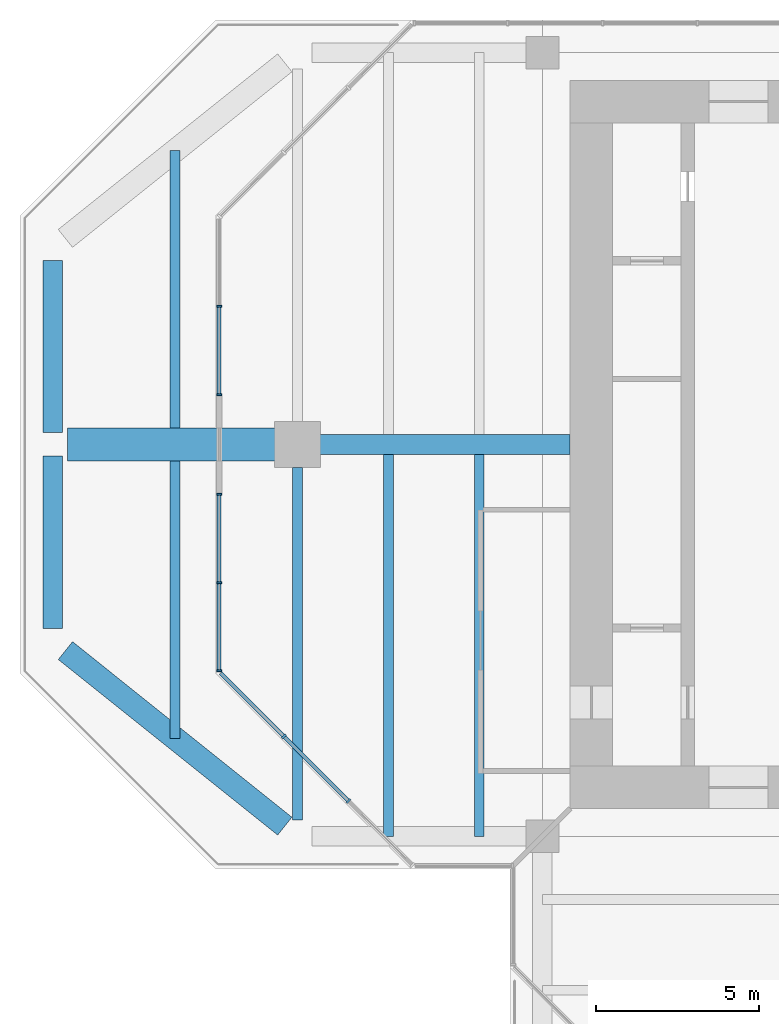
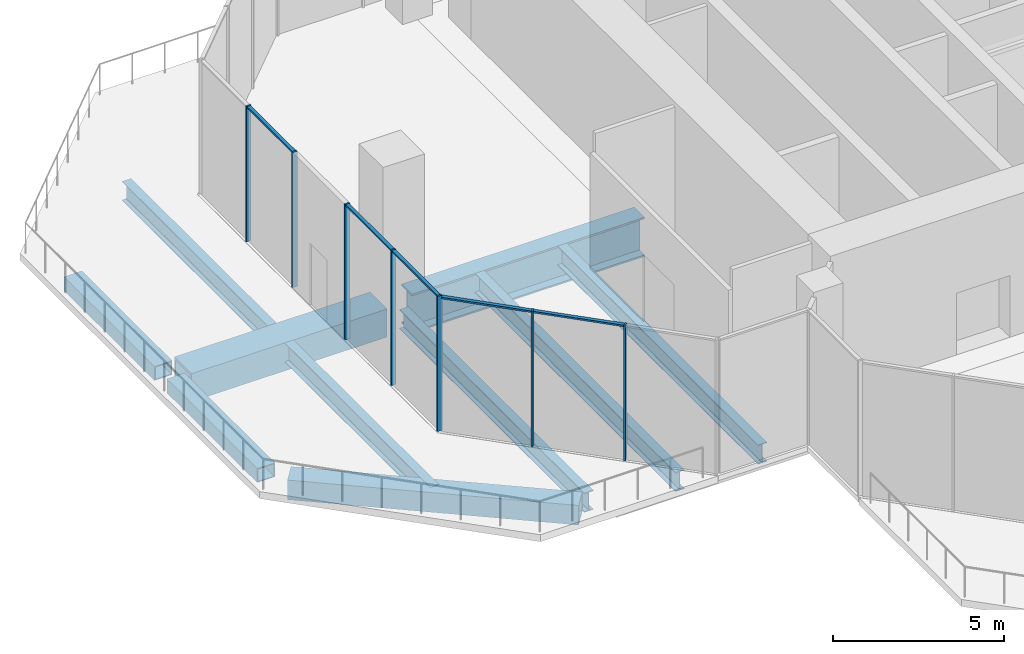
# One storey, part 3 of 13: 12 members, 10 beams, 3 elements without a shape of their own.
"""IFC4 building model written with IfcOpenShell, lengths in metres."""

from ifc_helpers import new_model, si_unit, direction, frame, origin, origin_2d, place, context, subcontext, project, spatial, rectangle, hollow_rectangle, i_section, extrude, material, material_profile, profile_set, type_object, element, aggregate, save


model = new_model("IFC4")

# Units and contexts
model_context = context("Model", 3, precision=1e-05, world=origin(), true_north=direction((0.0, 1.0)))
body_context = subcontext(model_context, "Body", "Model", "MODEL_VIEW")
ifc_project = project(units=[si_unit("LENGTHUNIT", "METRE"), si_unit("AREAUNIT", "SQUARE_METRE"), si_unit("VOLUMEUNIT", "CUBIC_METRE"), si_unit("PLANEANGLEUNIT", "RADIAN"), si_unit("MASSUNIT", "GRAM", prefix="KILO")], contexts=[model_context])

# Site, building, storey
site_placement = place(None, origin())
site = spatial("IfcSite", under=ifc_project, at=site_placement, CompositionType="ELEMENT")
building_placement = place(site_placement, origin())
building = spatial("IfcBuilding", under=site, at=building_placement, Name="Mizan Broadcast Tower", CompositionType="ELEMENT")
storey_placement = place(building_placement, frame((0.0, 0.0, 306.300048828125)))
storey = spatial("IfcBuildingStorey", under=building, at=storey_placement, Name="L73", CompositionType="ELEMENT", Elevation=306.300048828125)

# Beams
ifc_material_1 = material(Name="Steel S355", Category="steel")
ifc_material_profile_1 = material_profile(ifc_material_1, hollow_rectangle(XDim=0.60009765625, YDim=0.5, WallThickness=0.030029296875, at=origin_2d()), Name="BOX 500x600x30")
ifc_profile_set_1 = profile_set([ifc_material_profile_1], Name="Steel S355")
beam_type_1 = type_object("IfcBeamType", Name="EDGE BEAM BOX 500x600x30", PredefinedType="SPANDREL", material=ifc_profile_set_1)
for number, where, z_axis, x_axis, name in (
    (1, (-27.0, 5.639892578125, -0.5), (0.0, -1.0, 0.0), (1.0, 0.0, 0.0), "Edge beam BOX 500x600x30 L73 west arm"),
    (2, (-27.0, -5.639892578125, -0.5), (0.0, 1.0, 0.0), (-1.0, 0.0, 0.0), "Edge beam BOX 500x600x30 L73 west arm"),
):
    element("IfcBeam", number, at=place(storey_placement, frame(where, z_axis=z_axis, x_axis=x_axis)), inside=storey, type_object=beam_type_1, Name=name, PredefinedType="SPANDREL", context=body_context, shape_type="SweptSolid", body=[
        extrude(hollow_rectangle(XDim=0.60009765625, YDim=0.5, WallThickness=0.030029296875, at=origin_2d()), origin(), (0.0, 0.0, 1.0), 5.27978515625),
    ])
ifc_material_2 = material(Name="Steel S355", Category="steel")
ifc_material_profile_2 = material_profile(ifc_material_2, hollow_rectangle(XDim=0.699951171875, YDim=0.699951171875, WallThickness=0.0400390625, at=origin_2d()), Name="BOX 700x700x40")
ifc_profile_set_2 = profile_set([ifc_material_profile_2], Name="Steel S355")
beam_type_2 = type_object("IfcBeamType", Name="EDGE BEAM BOX 700x700x40", PredefinedType="SPANDREL", material=ifc_profile_set_2)
beam_1_placement = place(storey_placement, frame((-19.890380859375, -11.687744140625, -0.60009765625), z_axis=(-0.780863273348, 0.62470196761, 0.0), x_axis=(-0.62470196761, -0.780863273348, 0.0)))
element("IfcBeam", 3, at=beam_1_placement, inside=storey, type_object=beam_type_2, Name="Edge beam BOX 700x700x40 L73 west arm", PredefinedType="SPANDREL", context=body_context, shape_type="SweptSolid", body=[
    extrude(hollow_rectangle(XDim=0.699951171875, YDim=0.699951171875, WallThickness=0.0400390625, at=origin_2d()), origin(), (0.0, 0.0, 1.0), 8.60498046875),
])
ifc_material_3 = material(Name="Steel S460", Category="steel")
ifc_material_profile_3 = material_profile(ifc_material_3, hollow_rectangle(XDim=1.0, YDim=1.0, WallThickness=0.080078125, at=origin_2d()), Name="BOX 1000x1000x80")
ifc_profile_set_3 = profile_set([ifc_material_profile_3], Name="Steel S460")
beam_type_3 = type_object("IfcBeamType", Name="GIRDER BOX 1000x1000x80", PredefinedType="BEAM", material=ifc_profile_set_3)
beam_2_placement = place(storey_placement, frame((-19.949951171875, 0.0, -0.75), z_axis=(-1.0, 0.0, 0.0), x_axis=(0.0, -1.0, 0.0)))
element("IfcBeam", 4, at=beam_2_placement, inside=storey, type_object=beam_type_3, Name="Girder BOX 1000x1000x80 L73 west arm", PredefinedType="BEAM", context=body_context, shape_type="SweptSolid", body=[
    extrude(hollow_rectangle(XDim=1.0, YDim=1.0, WallThickness=0.080078125, at=origin_2d()), origin(), (0.0, 0.0, 1.0), 6.60009765625),
])
ifc_material_4 = material(Name="Steel S355", Category="steel")
ifc_material_profile_4 = material_profile(ifc_material_4, i_section(OverallWidth=0.300048828125, OverallDepth=0.68994140625, WebThickness=0.014404296875, FlangeThickness=0.027099609375, FilletRadius=0.027099609375, at=origin_2d()), Name="HEA 700")
ifc_profile_set_4 = profile_set([ifc_material_profile_4], Name="Steel S355")
beam_type_4 = type_object("IfcBeamType", Name="GIRDER HEA 700", PredefinedType="BEAM", material=ifc_profile_set_4)
beam_3_placement = place(storey_placement, frame((-19.5, -11.5, -0.594970703125), z_axis=(0.0, 1.0, 0.0), x_axis=(-1.0, 0.0, 0.0)))
element("IfcBeam", 5, at=beam_3_placement, inside=storey, type_object=beam_type_4, Name="Girder HEA 700 L73 west arm", PredefinedType="BEAM", context=body_context, shape_type="SweptSolid", body=[
    extrude(i_section(OverallWidth=0.300048828125, OverallDepth=0.68994140625, WebThickness=0.014404296875, FlangeThickness=0.027099609375, FilletRadius=0.027099609375, at=origin_2d()), origin(), (0.0, 0.0, 1.0), 10.800048828125),
])
ifc_material_5 = material(Name="Steel S460", Category="steel")
ifc_material_profile_5 = material_profile(ifc_material_5, i_section(OverallWidth=0.60009765625, OverallDepth=1.39990234375, WebThickness=0.02490234375, FlangeThickness=0.06005859375, at=origin_2d()), Name="WPG 1400x600")
ifc_profile_set_5 = profile_set([ifc_material_profile_5], Name="Steel S460")
beam_type_5 = type_object("IfcBeamType", Name="GIRDER WPG 1400x600", PredefinedType="BEAM", material=ifc_profile_set_5)
beam_4_placement = place(storey_placement, frame((-11.14990234375, 0.0, -0.880126953125), z_axis=(-1.0, 0.0, 0.0), x_axis=(0.0, -1.0, 0.0)))
element("IfcBeam", 6, at=beam_4_placement, inside=storey, type_object=beam_type_5, Name="Girder WPG 1400x600 L73 west arm", PredefinedType="BEAM", context=body_context, shape_type="SweptSolid", body=[
    extrude(i_section(OverallWidth=0.60009765625, OverallDepth=1.39990234375, WebThickness=0.02490234375, FlangeThickness=0.06005859375, at=origin_2d()), origin(), (0.0, 0.0, 1.0), 7.84912109375),
])

# Curtain wall, members
ifc_material_6 = material(Name="Aluminium framed glazing", Category="aluminium")
curtain_wall_type = type_object("IfcCurtainWallType", Name="LANTERN", PredefinedType="USERDEFINED", material=ifc_material_6)
curtain_wall_1_placement = place(storey_placement, origin())
curtain_wall_1 = element("IfcCurtainWall", 7, at=curtain_wall_1_placement, inside=storey, type_object=curtain_wall_type, Name="Lantern L73 W end", ObjectType="LANTERN", PredefinedType="USERDEFINED")
ifc_material_7 = material(Name="Aluminium, pale anodised", Category="aluminium")
ifc_material_profile_6 = material_profile(ifc_material_7, rectangle(XDim=0.159912109375, YDim=0.06005859375, at=origin_2d()), Name="MULLION 160x60")
ifc_profile_set_6 = profile_set([ifc_material_profile_6], Name="Aluminium, pale anodised")
member_type_1 = type_object("IfcMemberType", Name="INNER SKIN MULLION 60x160", PredefinedType="MULLION", material=ifc_profile_set_6)
member_1_placement = place(storey_placement, frame((-21.89990234375, 4.229248046875, 0.0), z_axis=(0.0, 0.0, 1.0), x_axis=(1.0, 0.0, 0.0)))
member_1 = element("IfcMember", 8, at=member_1_placement, type_object=member_type_1, Name="Lantern L73 W end mullion 2", PredefinedType="MULLION", context=body_context, shape_type="SweptSolid", body=[
    extrude(rectangle(XDim=0.159912109375, YDim=0.06005859375, at=origin_2d()), origin(), (0.0, 0.0, 1.0), 4.820068359375),
])
member_2_placement = place(storey_placement, frame((-21.89990234375, 1.530029296875, 0.0), z_axis=(0.0, 0.0, 1.0), x_axis=(1.0, 0.0, 0.0)))
member_2 = element("IfcMember", 9, at=member_2_placement, type_object=member_type_1, Name="Lantern L73 W end mullion 3", PredefinedType="MULLION", context=body_context, shape_type="SweptSolid", body=[
    extrude(rectangle(XDim=0.159912109375, YDim=0.06005859375, at=origin_2d()), origin(), (0.0, 0.0, 1.0), 4.820068359375),
])

curtain_wall_2_placement = place(storey_placement, origin())
curtain_wall_2 = element("IfcCurtainWall", 10, at=curtain_wall_2_placement, inside=storey, type_object=curtain_wall_type, Name="Lantern L73 W end", ObjectType="LANTERN", PredefinedType="USERDEFINED")
member_3_placement = place(storey_placement, frame((-21.89990234375, -1.530029296875, 0.0), z_axis=(0.0, 0.0, 1.0), x_axis=(1.0, 0.0, 0.0)))
member_3 = element("IfcMember", 11, at=member_3_placement, type_object=member_type_1, Name="Lantern L73 W end mullion 1", PredefinedType="MULLION", context=body_context, shape_type="SweptSolid", body=[
    extrude(rectangle(XDim=0.159912109375, YDim=0.06005859375, at=origin_2d()), origin(), (0.0, 0.0, 1.0), 4.820068359375),
])
member_4_placement = place(storey_placement, frame((-21.89990234375, -4.229248046875, 0.0), z_axis=(0.0, 0.0, 1.0), x_axis=(1.0, 0.0, 0.0)))
member_4 = element("IfcMember", 12, at=member_4_placement, type_object=member_type_1, Name="Lantern L73 W end mullion 2", PredefinedType="MULLION", context=body_context, shape_type="SweptSolid", body=[
    extrude(rectangle(XDim=0.159912109375, YDim=0.06005859375, at=origin_2d()), origin(), (0.0, 0.0, 1.0), 4.820068359375),
])
member_5_placement = place(storey_placement, frame((-21.89990234375, -6.928466796875, 0.0), z_axis=(0.0, 0.0, 1.0), x_axis=(1.0, 0.0, 0.0)))
member_5 = element("IfcMember", 13, at=member_5_placement, type_object=member_type_1, Name="Lantern L73 W end mullion 3", PredefinedType="MULLION", context=body_context, shape_type="SweptSolid", body=[
    extrude(rectangle(XDim=0.159912109375, YDim=0.06005859375, at=origin_2d()), origin(), (0.0, 0.0, 1.0), 4.820068359375),
])

curtain_wall_3_placement = place(storey_placement, origin())
curtain_wall_3 = element("IfcCurtainWall", 14, at=curtain_wall_3_placement, inside=storey, type_object=curtain_wall_type, Name="Lantern L73 W chamfer", ObjectType="LANTERN", PredefinedType="USERDEFINED")
member_6_placement = place(storey_placement, frame((-19.91943359375, -8.93896484375, 0.0), z_axis=(0.0, 0.0, 1.0), x_axis=(0.707106781187, 0.707106781187, 0.0)))
member_6 = element("IfcMember", 15, at=member_6_placement, type_object=member_type_1, Name="Lantern L73 W chamfer mullion 2", PredefinedType="MULLION", context=body_context, shape_type="SweptSolid", body=[
    extrude(rectangle(XDim=0.159912109375, YDim=0.06005859375, at=origin_2d()), origin(), (0.0, 0.0, 1.0), 4.820068359375),
])
member_7_placement = place(storey_placement, frame((-17.93896484375, -10.91943359375, 0.0), z_axis=(0.0, 0.0, 1.0), x_axis=(0.707106781187, 0.707106781187, 0.0)))
member_7 = element("IfcMember", 16, at=member_7_placement, type_object=member_type_1, Name="Lantern L73 W chamfer mullion 3", PredefinedType="MULLION", context=body_context, shape_type="SweptSolid", body=[
    extrude(rectangle(XDim=0.159912109375, YDim=0.06005859375, at=origin_2d()), origin(), (0.0, 0.0, 1.0), 4.820068359375),
])

# Member
ifc_material_8 = material(Name="Aluminium, pale anodised", Category="aluminium")
ifc_material_profile_7 = material_profile(ifc_material_8, rectangle(XDim=0.1201171875, YDim=0.06005859375, at=origin_2d()), Name="TRANSOM 120x60")
ifc_profile_set_7 = profile_set([ifc_material_profile_7], Name="Aluminium, pale anodised")
member_type_2 = type_object("IfcMemberType", Name="INNER SKIN TRANSOM 60x120", PredefinedType="USERDEFINED", material=ifc_profile_set_7)
member_8_placement = place(storey_placement, frame((-21.89990234375, 4.19921875, 4.7900390625), z_axis=(0.0, -1.0, 0.0), x_axis=(1.0, 0.0, 0.0)))
member_8 = element("IfcMember", 17, at=member_8_placement, type_object=member_type_2, Name="Lantern L73 W end transom 2.1", ObjectType="TRANSOM", PredefinedType="USERDEFINED", context=body_context, shape_type="SweptSolid", body=[
    extrude(rectangle(XDim=0.1201171875, YDim=0.06005859375, at=origin_2d()), origin(), (0.0, 0.0, 1.0), 2.63916015625),
])

aggregate(curtain_wall_1, [member_1, member_2, member_8])

member_9_placement = place(storey_placement, frame((-21.89990234375, -1.56005859375, 4.7900390625), z_axis=(0.0, -1.0, 0.0), x_axis=(1.0, 0.0, 0.0)))
member_9 = element("IfcMember", 18, at=member_9_placement, type_object=member_type_2, Name="Lantern L73 W end transom 1.1", ObjectType="TRANSOM", PredefinedType="USERDEFINED", context=body_context, shape_type="SweptSolid", body=[
    extrude(rectangle(XDim=0.1201171875, YDim=0.06005859375, at=origin_2d()), origin(), (0.0, 0.0, 1.0), 2.63916015625),
])

member_10_placement = place(storey_placement, frame((-21.89990234375, -4.25927734375, 4.7900390625), z_axis=(0.0, -1.0, 0.0), x_axis=(1.0, 0.0, 0.0)))
member_10 = element("IfcMember", 19, at=member_10_placement, type_object=member_type_2, Name="Lantern L73 W end transom 2.1", ObjectType="TRANSOM", PredefinedType="USERDEFINED", context=body_context, shape_type="SweptSolid", body=[
    extrude(rectangle(XDim=0.1201171875, YDim=0.06005859375, at=origin_2d()), origin(), (0.0, 0.0, 1.0), 2.639404296875),
])

aggregate(curtain_wall_2, [member_3, member_4, member_5, member_9, member_10])

member_11_placement = place(storey_placement, frame((-21.857666015625, -7.0009765625, 4.7900390625), z_axis=(0.707151809797, -0.707061749709, 0.0), x_axis=(0.707061749709, 0.707151809797, 0.0)))
member_11 = element("IfcMember", 20, at=member_11_placement, type_object=member_type_2, Name="Lantern L73 W chamfer transom 1.1", ObjectType="TRANSOM", PredefinedType="USERDEFINED", context=body_context, shape_type="SweptSolid", body=[
    extrude(rectangle(XDim=0.1201171875, YDim=0.06005859375, at=origin_2d()), origin(), (0.0, 0.0, 1.0), 2.7109375),
])

member_12_placement = place(storey_placement, frame((-19.898193359375, -8.960205078125, 4.7900390625), z_axis=(0.707106781187, -0.707106781187, 0.0), x_axis=(0.707106781187, 0.707106781187, 0.0)))
member_12 = element("IfcMember", 21, at=member_12_placement, type_object=member_type_2, Name="Lantern L73 W chamfer transom 2.1", ObjectType="TRANSOM", PredefinedType="USERDEFINED", context=body_context, shape_type="SweptSolid", body=[
    extrude(rectangle(XDim=0.1201171875, YDim=0.06005859375, at=origin_2d()), origin(), (0.0, 0.0, 1.0), 2.74072265625),
])

aggregate(curtain_wall_3, [member_6, member_7, member_11, member_12])

# Beams
ifc_material_9 = material(Name="Steel S355", Category="steel")
ifc_material_profile_8 = material_profile(ifc_material_9, i_section(OverallWidth=0.300048828125, OverallDepth=0.68994140625, WebThickness=0.014404296875, FlangeThickness=0.027099609375, FilletRadius=0.027099609375, at=origin_2d()), Name="HEA 700")
ifc_profile_set_8 = profile_set([ifc_material_profile_8], Name="Steel S355")
beam_type_6 = type_object("IfcBeamType", Name="SECONDARY BEAM HEA 700", PredefinedType="JOIST", material=ifc_profile_set_8)
beam_5_placement = place(storey_placement, frame((-23.25, 9.0, -0.594970703125), z_axis=(0.0, -1.0, 0.0), x_axis=(1.0, 0.0, 0.0)))
element("IfcBeam", 22, at=beam_5_placement, inside=storey, type_object=beam_type_6, Name="Secondary beam HEA 700 L73 west arm", PredefinedType="JOIST", context=body_context, shape_type="SweptSolid", body=[
    extrude(i_section(OverallWidth=0.300048828125, OverallDepth=0.68994140625, WebThickness=0.014404296875, FlangeThickness=0.027099609375, FilletRadius=0.027099609375, at=origin_2d()), origin(), (0.0, 0.0, 1.0), 8.5),
])
for number, where, z_axis, x_axis, name in (
    (23, (-13.933349609375, -12.0, -0.525146484375), (0.0, 1.0, 0.0), (-1.0, 0.0, 0.0), "Secondary beam HEA 700 L73 west arm"),
    (24, (-16.716552734375, -12.0, -0.525146484375), (0.0, 1.0, 0.0), (-1.0, 0.0, 0.0), "Secondary beam HEA 700 L73 west arm"),
):
    element("IfcBeam", number, at=place(storey_placement, frame(where, z_axis=z_axis, x_axis=x_axis)), inside=storey, type_object=beam_type_6, Name=name, PredefinedType="JOIST", context=body_context, shape_type="SweptSolid", body=[
        extrude(i_section(OverallWidth=0.300048828125, OverallDepth=0.68994140625, WebThickness=0.014404296875, FlangeThickness=0.027099609375, FilletRadius=0.027099609375, at=origin_2d()), origin(), (0.0, 0.0, 1.0), 11.699951171875),
    ])
beam_6_placement = place(storey_placement, frame((-23.25, -9.0, -0.594970703125), z_axis=(0.0, 1.0, 0.0), x_axis=(-1.0, 0.0, 0.0)))
element("IfcBeam", 25, at=beam_6_placement, inside=storey, type_object=beam_type_6, Name="Secondary beam HEA 700 L73 west arm", PredefinedType="JOIST", context=body_context, shape_type="SweptSolid", body=[
    extrude(i_section(OverallWidth=0.300048828125, OverallDepth=0.68994140625, WebThickness=0.014404296875, FlangeThickness=0.027099609375, FilletRadius=0.027099609375, at=origin_2d()), origin(), (0.0, 0.0, 1.0), 8.5),
])

save(model, "model.ifc")
